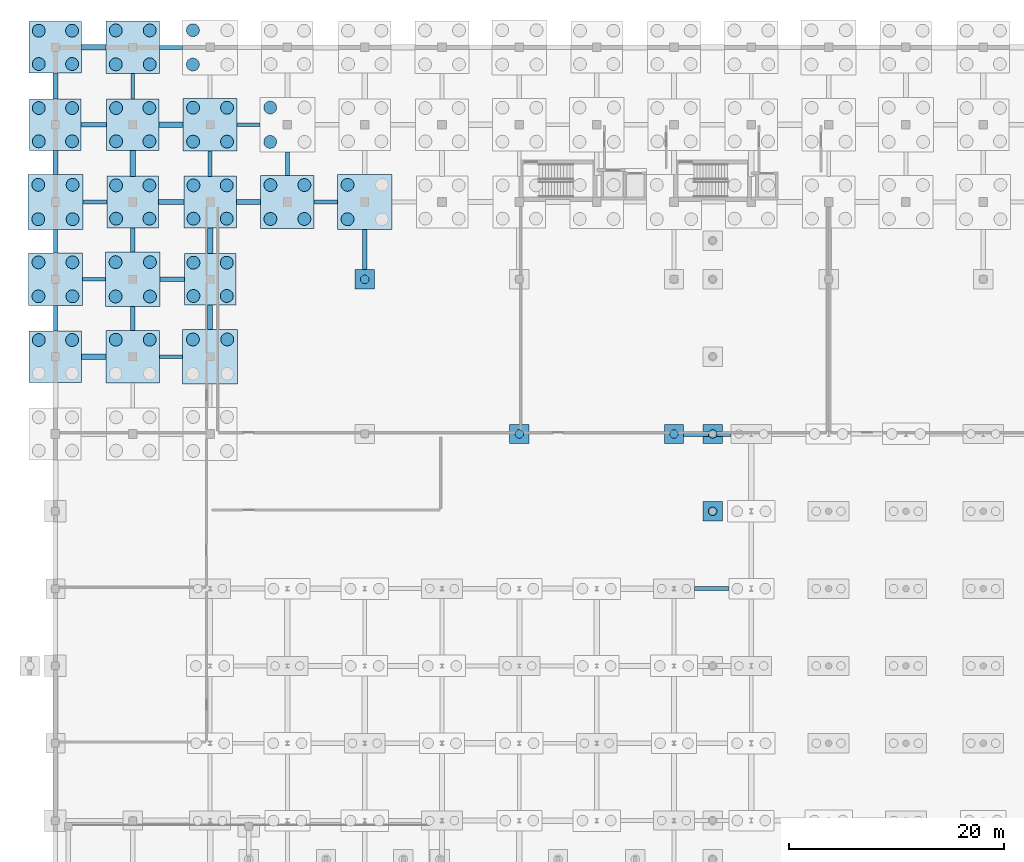
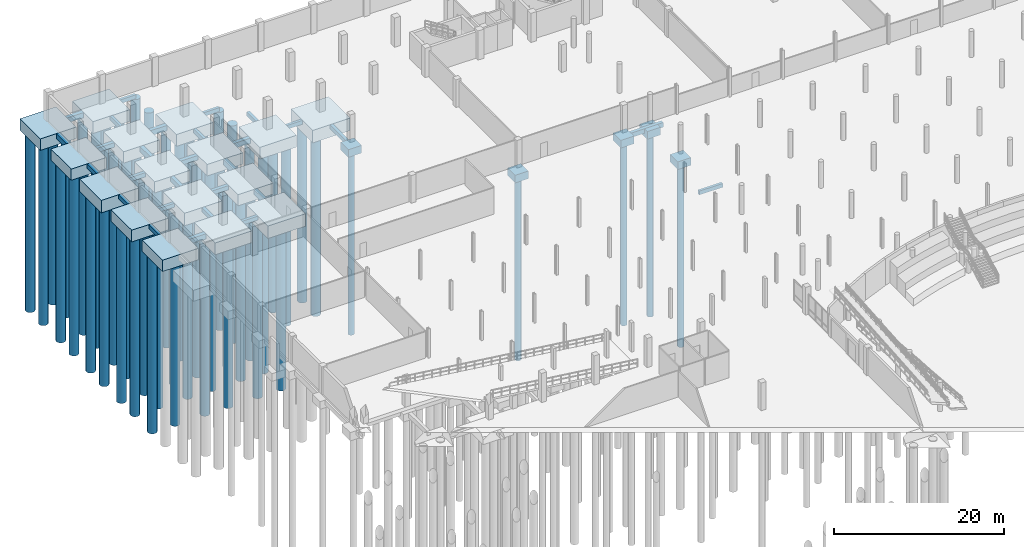
# One storey, part 7 of 56: 65 piles, 49 footings.
"""IFC4 building model written with IfcOpenShell, lengths in metres."""

from ifc_helpers import new_model, si_unit, direction, frame, origin, origin_2d, place, context, subcontext, project, spatial, rectangle, circle, extrude, material, material_profile, profile_set, type_object, element, save


model = new_model("IFC4")

# Units and contexts
model_context = context("Model", 3, precision=1e-05, world=origin(), true_north=direction((0.0, 1.0)))
body_context = subcontext(model_context, "Body", "Model", "MODEL_VIEW")
ifc_project = project(units=[si_unit("LENGTHUNIT", "METRE"), si_unit("AREAUNIT", "SQUARE_METRE"), si_unit("VOLUMEUNIT", "CUBIC_METRE"), si_unit("PLANEANGLEUNIT", "RADIAN"), si_unit("MASSUNIT", "GRAM", prefix="KILO")], contexts=[model_context])

# Site, building, storey
site_placement = place(None, origin())
site = spatial("IfcSite", under=ifc_project, at=site_placement, CompositionType="ELEMENT")
building_placement = place(site_placement, origin())
building = spatial("IfcBuilding", under=site, at=building_placement, Name="Suanplinth Sawtooth Commons", CompositionType="ELEMENT")
storey_placement = place(building_placement, frame((0.0, 0.0, -4.199951171875)))
storey = spatial("IfcBuildingStorey", under=building, at=storey_placement, Name="B1", CompositionType="ELEMENT", Elevation=-4.199951171875)

# Footings
ifc_material_1 = material(Name="Concrete C35/45", Category="concrete")
ifc_material_profile_1 = material_profile(ifc_material_1, rectangle(XDim=0.449951171875, YDim=0.64990234375, at=origin_2d()), Name="PC-GDR 450x650")
ifc_profile_set_1 = profile_set([ifc_material_profile_1], Name="Concrete C35/45")
footing_type_1 = type_object("IfcFootingType", Name="FB-01", PredefinedType="FOOTING_BEAM", material=ifc_profile_set_1)
footing_1_placement = place(storey_placement, frame((0.0, 110.550048828125, -0.824951171875), z_axis=(0.0, 1.0, 0.0), x_axis=(-1.0, 0.0, 0.0)))
element("IfcFooting", 1, at=footing_1_placement, inside=storey, type_object=footing_type_1, Name="Foundation Tie Beam 1/R-S", PredefinedType="FOOTING_BEAM", context=body_context, shape_type="SweptSolid", body=[
    extrude(rectangle(XDim=0.449951171875, YDim=0.64990234375, at=origin_2d()), origin(), (0.0, 0.0, 1.0), 2.25),
])
footing_2_placement = place(storey_placement, frame((2.39990234375, 115.199951171875, -0.824951171875), z_axis=(1.0, 0.0, 0.0), x_axis=(0.0, 1.0, 0.0)))
element("IfcFooting", 2, at=footing_2_placement, inside=storey, type_object=footing_type_1, Name="Foundation Tie Beam 1-2/S", PredefinedType="FOOTING_BEAM", context=body_context, shape_type="SweptSolid", body=[
    extrude(rectangle(XDim=0.449951171875, YDim=0.64990234375, at=origin_2d()), origin(), (0.0, 0.0, 1.0), 2.35009765625),
])
footing_3_placement = place(storey_placement, frame((7.199951171875, 103.35009765625, -0.824951171875), z_axis=(0.0, 1.0, 0.0), x_axis=(-1.0, 0.0, 0.0)))
element("IfcFooting", 3, at=footing_3_placement, inside=storey, type_object=footing_type_1, Name="Foundation Tie Beam 2/Q-R", PredefinedType="FOOTING_BEAM", context=body_context, shape_type="SweptSolid", body=[
    extrude(rectangle(XDim=0.449951171875, YDim=0.64990234375, at=origin_2d()), origin(), (0.0, 0.0, 1.0), 2.25),
])
footing_4_placement = place(storey_placement, frame((9.60009765625, 108.0, -0.824951171875), z_axis=(1.0, 0.0, 0.0), x_axis=(0.0, 1.0, 0.0)))
element("IfcFooting", 4, at=footing_4_placement, inside=storey, type_object=footing_type_1, Name="Foundation Tie Beam 2-3/R", PredefinedType="FOOTING_BEAM", context=body_context, shape_type="SweptSolid", body=[
    extrude(rectangle(XDim=0.449951171875, YDim=0.64990234375, at=origin_2d()), origin(), (0.0, 0.0, 1.0), 2.349853515625),
])
footing_5_placement = place(storey_placement, frame((14.39990234375, 96.14990234375, -0.824951171875), z_axis=(0.0, 1.0, 0.0), x_axis=(-1.0, 0.0, 0.0)))
element("IfcFooting", 5, at=footing_5_placement, inside=storey, type_object=footing_type_1, Name="Foundation Tie Beam 3/P-Q", PredefinedType="FOOTING_BEAM", context=body_context, shape_type="SweptSolid", body=[
    extrude(rectangle(XDim=0.449951171875, YDim=0.64990234375, at=origin_2d()), origin(), (0.0, 0.0, 1.0), 2.25),
])
footing_6_placement = place(storey_placement, frame((58.5, 86.39990234375, -0.824951171875), z_axis=(1.0, 0.0, 0.0), x_axis=(0.0, 1.0, 0.0)))
element("IfcFooting", 6, at=footing_6_placement, inside=storey, type_object=footing_type_1, Name="Foundation Tie Beam 9-10/N", PredefinedType="FOOTING_BEAM", context=body_context, shape_type="SweptSolid", body=[
    extrude(rectangle(XDim=0.449951171875, YDim=0.64990234375, at=origin_2d()), origin(), (0.0, 0.0, 1.0), 4.39990234375),
])
ifc_material_profile_2 = material_profile(ifc_material_1, rectangle(XDim=0.5, YDim=0.75, at=origin_2d()), Name="RC-GDR 500x750")
ifc_profile_set_2 = profile_set([ifc_material_profile_2], Name="Concrete C35/45")
footing_type_2 = type_object("IfcFootingType", Name="FB-02", PredefinedType="FOOTING_BEAM", material=ifc_profile_set_2)
footing_7_placement = place(storey_placement, frame((2.449951171875, 93.60009765625, -0.875), z_axis=(1.0, 0.0, 0.0), x_axis=(0.0, 1.0, 0.0)))
element("IfcFooting", 7, at=footing_7_placement, inside=storey, type_object=footing_type_2, Name="Foundation Tie Beam 1-2/P", PredefinedType="FOOTING_BEAM", context=body_context, shape_type="SweptSolid", body=[
    extrude(rectangle(XDim=0.5, YDim=0.75, at=origin_2d()), origin(), (0.0, 0.0, 1.0), 2.25),
])
footing_8_placement = place(storey_placement, frame((0.0, 117.60009765625, -0.875), z_axis=(0.0, 1.0, 0.0), x_axis=(-1.0, 0.0, 0.0)))
element("IfcFooting", 8, at=footing_8_placement, inside=storey, type_object=footing_type_2, Name="Foundation Tie Beam 1/S-T", PredefinedType="FOOTING_BEAM", context=body_context, shape_type="SweptSolid", body=[
    extrude(rectangle(XDim=0.5, YDim=0.75, at=origin_2d()), origin(), (0.0, 0.0, 1.0), 2.39990234375),
])
footing_9_placement = place(storey_placement, frame((2.449951171875, 122.39990234375, -0.875), z_axis=(1.0, 0.0, 0.0), x_axis=(0.0, 1.0, 0.0)))
element("IfcFooting", 9, at=footing_9_placement, inside=storey, type_object=footing_type_2, Name="Foundation Tie Beam 1-2/T", PredefinedType="FOOTING_BEAM", context=body_context, shape_type="SweptSolid", body=[
    extrude(rectangle(XDim=0.5, YDim=0.75, at=origin_2d()), origin(), (0.0, 0.0, 1.0), 2.25),
])
footing_10_placement = place(storey_placement, frame((7.199951171875, 110.39990234375, -0.875), z_axis=(0.0, 1.0, 0.0), x_axis=(-1.0, 0.0, 0.0)))
element("IfcFooting", 10, at=footing_10_placement, inside=storey, type_object=footing_type_2, Name="Foundation Tie Beam 2/R-S", PredefinedType="FOOTING_BEAM", context=body_context, shape_type="SweptSolid", body=[
    extrude(rectangle(XDim=0.5, YDim=0.75, at=origin_2d()), origin(), (0.0, 0.0, 1.0), 2.400146484375),
])
footing_11_placement = place(storey_placement, frame((9.64990234375, 115.199951171875, -0.875), z_axis=(1.0, 0.0, 0.0), x_axis=(0.0, 1.0, 0.0)))
element("IfcFooting", 11, at=footing_11_placement, inside=storey, type_object=footing_type_2, Name="Foundation Tie Beam 2-3/S", PredefinedType="FOOTING_BEAM", context=body_context, shape_type="SweptSolid", body=[
    extrude(rectangle(XDim=0.5, YDim=0.75, at=origin_2d()), origin(), (0.0, 0.0, 1.0), 2.25),
])
footing_12_placement = place(storey_placement, frame((14.39990234375, 103.199951171875, -0.875), z_axis=(0.0, 1.0, 0.0), x_axis=(-1.0, 0.0, 0.0)))
element("IfcFooting", 12, at=footing_12_placement, inside=storey, type_object=footing_type_2, Name="Foundation Tie Beam 3/Q-R", PredefinedType="FOOTING_BEAM", context=body_context, shape_type="SweptSolid", body=[
    extrude(rectangle(XDim=0.5, YDim=0.75, at=origin_2d()), origin(), (0.0, 0.0, 1.0), 2.400146484375),
])
footing_13_placement = place(storey_placement, frame((16.85009765625, 108.0, -0.875), z_axis=(1.0, 0.0, 0.0), x_axis=(0.0, 1.0, 0.0)))
element("IfcFooting", 13, at=footing_13_placement, inside=storey, type_object=footing_type_2, Name="Foundation Tie Beam 3-4/R", PredefinedType="FOOTING_BEAM", context=body_context, shape_type="SweptSolid", body=[
    extrude(rectangle(XDim=0.5, YDim=0.75, at=origin_2d()), origin(), (0.0, 0.0, 1.0), 2.25),
])
ifc_material_profile_3 = material_profile(ifc_material_1, rectangle(XDim=0.35009765625, YDim=0.550048828125, at=origin_2d()), Name="PC-BM 350x550")
ifc_profile_set_3 = profile_set([ifc_material_profile_3], Name="Concrete C35/45")
footing_type_3 = type_object("IfcFootingType", Name="FB-03", PredefinedType="FOOTING_BEAM", material=ifc_profile_set_3)
footing_14_placement = place(storey_placement, frame((0.0, 96.0, -0.775146484375), z_axis=(0.0, 1.0, 0.0), x_axis=(-1.0, 0.0, 0.0)))
element("IfcFooting", 14, at=footing_14_placement, inside=storey, type_object=footing_type_3, Name="Foundation Tie Beam 1/P-Q", PredefinedType="FOOTING_BEAM", context=body_context, shape_type="SweptSolid", body=[
    extrude(rectangle(XDim=0.35009765625, YDim=0.550048828125, at=origin_2d()), origin(), (0.0, 0.0, 1.0), 2.35009765625),
])
footing_15_placement = place(storey_placement, frame((2.5, 100.800048828125, -0.775146484375), z_axis=(1.0, 0.0, 0.0), x_axis=(0.0, 1.0, 0.0)))
element("IfcFooting", 15, at=footing_15_placement, inside=storey, type_object=footing_type_3, Name="Foundation Tie Beam 1-2/Q", PredefinedType="FOOTING_BEAM", context=body_context, shape_type="SweptSolid", body=[
    extrude(rectangle(XDim=0.35009765625, YDim=0.550048828125, at=origin_2d()), origin(), (0.0, 0.0, 1.0), 2.14990234375),
])
footing_16_placement = place(storey_placement, frame((9.699951171875, 93.60009765625, -0.775146484375), z_axis=(1.0, 0.0, 0.0), x_axis=(0.0, 1.0, 0.0)))
element("IfcFooting", 16, at=footing_16_placement, inside=storey, type_object=footing_type_3, Name="Foundation Tie Beam 2-3/P", PredefinedType="FOOTING_BEAM", context=body_context, shape_type="SweptSolid", body=[
    extrude(rectangle(XDim=0.35009765625, YDim=0.550048828125, at=origin_2d()), origin(), (0.0, 0.0, 1.0), 2.150146484375),
])
footing_17_placement = place(storey_placement, frame((7.199951171875, 117.60009765625, -0.775146484375), z_axis=(0.0, 1.0, 0.0), x_axis=(-1.0, 0.0, 0.0)))
element("IfcFooting", 17, at=footing_17_placement, inside=storey, type_object=footing_type_3, Name="Foundation Tie Beam 2/S-T", PredefinedType="FOOTING_BEAM", context=body_context, shape_type="SweptSolid", body=[
    extrude(rectangle(XDim=0.35009765625, YDim=0.550048828125, at=origin_2d()), origin(), (0.0, 0.0, 1.0), 2.349853515625),
])
footing_18_placement = place(storey_placement, frame((9.699951171875, 122.39990234375, -0.775146484375), z_axis=(1.0, 0.0, 0.0), x_axis=(0.0, 1.0, 0.0)))
element("IfcFooting", 18, at=footing_18_placement, inside=storey, type_object=footing_type_3, Name="Foundation Tie Beam 2-3/T", PredefinedType="FOOTING_BEAM", context=body_context, shape_type="SweptSolid", body=[
    extrude(rectangle(XDim=0.35009765625, YDim=0.550048828125, at=origin_2d()), origin(), (0.0, 0.0, 1.0), 2.150146484375),
])
footing_19_placement = place(storey_placement, frame((14.39990234375, 110.39990234375, -0.775146484375), z_axis=(0.0, 1.0, 0.0), x_axis=(-1.0, 0.0, 0.0)))
element("IfcFooting", 19, at=footing_19_placement, inside=storey, type_object=footing_type_3, Name="Foundation Tie Beam 3/R-S", PredefinedType="FOOTING_BEAM", context=body_context, shape_type="SweptSolid", body=[
    extrude(rectangle(XDim=0.35009765625, YDim=0.550048828125, at=origin_2d()), origin(), (0.0, 0.0, 1.0), 2.35009765625),
])
footing_20_placement = place(storey_placement, frame((16.89990234375, 115.199951171875, -0.775146484375), z_axis=(1.0, 0.0, 0.0), x_axis=(0.0, 1.0, 0.0)))
element("IfcFooting", 20, at=footing_20_placement, inside=storey, type_object=footing_type_3, Name="Foundation Tie Beam 3-4/S", PredefinedType="FOOTING_BEAM", context=body_context, shape_type="SweptSolid", body=[
    extrude(rectangle(XDim=0.35009765625, YDim=0.550048828125, at=origin_2d()), origin(), (0.0, 0.0, 1.0), 2.150146484375),
])
footing_21_placement = place(storey_placement, frame((24.10009765625, 108.0, -0.775146484375), z_axis=(1.0, 0.0, 0.0), x_axis=(0.0, 1.0, 0.0)))
element("IfcFooting", 21, at=footing_21_placement, inside=storey, type_object=footing_type_3, Name="Foundation Tie Beam 4-5/R", PredefinedType="FOOTING_BEAM", context=body_context, shape_type="SweptSolid", body=[
    extrude(rectangle(XDim=0.35009765625, YDim=0.550048828125, at=origin_2d()), origin(), (0.0, 0.0, 1.0), 2.14990234375),
])
footing_22_placement = place(storey_placement, frame((59.5, 72.0, -0.775146484375), z_axis=(1.0, 0.0, 0.0), x_axis=(0.0, 1.0, 0.0)))
element("IfcFooting", 22, at=footing_22_placement, inside=storey, type_object=footing_type_3, Name="Foundation Tie Beam 9-10/L", PredefinedType="FOOTING_BEAM", context=body_context, shape_type="SweptSolid", body=[
    extrude(rectangle(XDim=0.35009765625, YDim=0.550048828125, at=origin_2d()), origin(), (0.0, 0.0, 1.0), 3.199951171875),
])
ifc_material_profile_4 = material_profile(ifc_material_1, rectangle(XDim=0.39990234375, YDim=0.60009765625, at=origin_2d()), Name="PC-GDR 400x600")
ifc_profile_set_4 = profile_set([ifc_material_profile_4], Name="Concrete C35/45")
footing_type_4 = type_object("IfcFootingType", Name="FB-04", PredefinedType="FOOTING_BEAM", material=ifc_profile_set_4)
footing_23_placement = place(storey_placement, frame((0.0, 103.25, -0.800048828125), z_axis=(0.0, 1.0, 0.0), x_axis=(-1.0, 0.0, 0.0)))
element("IfcFooting", 23, at=footing_23_placement, inside=storey, type_object=footing_type_4, Name="Foundation Tie Beam 1/Q-R", PredefinedType="FOOTING_BEAM", context=body_context, shape_type="SweptSolid", body=[
    extrude(rectangle(XDim=0.39990234375, YDim=0.60009765625, at=origin_2d()), origin(), (0.0, 0.0, 1.0), 2.199951171875),
])
footing_24_placement = place(storey_placement, frame((2.550048828125, 108.0, -0.800048828125), z_axis=(1.0, 0.0, 0.0), x_axis=(0.0, 1.0, 0.0)))
element("IfcFooting", 24, at=footing_24_placement, inside=storey, type_object=footing_type_4, Name="Foundation Tie Beam 1-2/R", PredefinedType="FOOTING_BEAM", context=body_context, shape_type="SweptSolid", body=[
    extrude(rectangle(XDim=0.39990234375, YDim=0.60009765625, at=origin_2d()), origin(), (0.0, 0.0, 1.0), 2.25),
])
footing_25_placement = place(storey_placement, frame((7.199951171875, 96.050048828125, -0.800048828125), z_axis=(0.0, 1.0, 0.0), x_axis=(-1.0, 0.0, 0.0)))
element("IfcFooting", 25, at=footing_25_placement, inside=storey, type_object=footing_type_4, Name="Foundation Tie Beam 2/P-Q", PredefinedType="FOOTING_BEAM", context=body_context, shape_type="SweptSolid", body=[
    extrude(rectangle(XDim=0.39990234375, YDim=0.60009765625, at=origin_2d()), origin(), (0.0, 0.0, 1.0), 2.199951171875),
])
footing_26_placement = place(storey_placement, frame((9.75, 100.800048828125, -0.800048828125), z_axis=(1.0, 0.0, 0.0), x_axis=(0.0, 1.0, 0.0)))
element("IfcFooting", 26, at=footing_26_placement, inside=storey, type_object=footing_type_4, Name="Foundation Tie Beam 2-3/Q", PredefinedType="FOOTING_BEAM", context=body_context, shape_type="SweptSolid", body=[
    extrude(rectangle(XDim=0.39990234375, YDim=0.60009765625, at=origin_2d()), origin(), (0.0, 0.0, 1.0), 2.25),
])
footing_27_placement = place(storey_placement, frame((21.60009765625, 110.449951171875, -0.800048828125), z_axis=(0.0, 1.0, 0.0), x_axis=(-1.0, 0.0, 0.0)))
element("IfcFooting", 27, at=footing_27_placement, inside=storey, type_object=footing_type_4, Name="Foundation Tie Beam 4/R-S", PredefinedType="FOOTING_BEAM", context=body_context, shape_type="SweptSolid", body=[
    extrude(rectangle(XDim=0.39990234375, YDim=0.60009765625, at=origin_2d()), origin(), (0.0, 0.0, 1.0), 2.199951171875),
])
footing_28_placement = place(storey_placement, frame((28.800048828125, 101.699951171875, -0.800048828125), z_axis=(0.0, 1.0, 0.0), x_axis=(-1.0, 0.0, 0.0)))
element("IfcFooting", 28, at=footing_28_placement, inside=storey, type_object=footing_type_4, Name="Foundation Tie Beam 5/Q-R", PredefinedType="FOOTING_BEAM", context=body_context, shape_type="SweptSolid", body=[
    extrude(rectangle(XDim=0.39990234375, YDim=0.60009765625, at=origin_2d()), origin(), (0.0, 0.0, 1.0), 3.75),
])
footing_type_5 = type_object("IfcFootingType", Name="FC-01", PredefinedType="PILE_CAP", material=ifc_material_1)
for number, where, z_axis, x_axis, name in (
    (29, (28.800048828125, 100.800048828125, -1.60009765625), (0.0, 0.0, 1.0), (1.0, 0.0, 0.0), "Pile Cap 5/Q"),
    (30, (43.199951171875, 86.39990234375, -1.60009765625), (0.0, 0.0, 1.0), (1.0, 0.0, 0.0), "Pile Cap 7/N"),
    (31, (57.60009765625, 86.39990234375, -1.60009765625), (0.0, 0.0, 1.0), (1.0, 0.0, 0.0), "Pile Cap 9/N"),
    (32, (61.199951171875, 79.199951171875, -1.60009765625), (0.0, 0.0, 1.0), (1.0, 0.0, 0.0), "West Breezeway Cap W8"),
    (33, (61.199951171875, 86.39990234375, -1.60009765625), (0.0, 0.0, 1.0), (1.0, 0.0, 0.0), "West Breezeway Cap W9"),
):
    element("IfcFooting", number, at=place(storey_placement, frame(where, z_axis=z_axis, x_axis=x_axis)), inside=storey, type_object=footing_type_5, Name=name, PredefinedType="PILE_CAP", context=body_context, shape_type="SweptSolid", body=[
        extrude(rectangle(XDim=1.800048828125, YDim=1.800048828125, at=origin_2d()), origin(), (0.0, 0.0, 1.0), 1.10009765625),
    ])
footing_type_6 = type_object("IfcFootingType", Name="FC-11", PredefinedType="PILE_CAP", material=ifc_material_1)
for number, where, z_axis, x_axis, name in (
    (34, (0.0, 115.199951171875, -2.10009765625), (0.0, 0.0, 1.0), (1.0, 0.0, 0.0), "Pile Cap 1/S"),
    (35, (7.199951171875, 108.0, -2.10009765625), (0.0, 0.0, 1.0), (1.0, 0.0, 0.0), "Pile Cap 2/R"),
    (36, (14.39990234375, 100.800048828125, -2.10009765625), (0.0, 0.0, 1.0), (1.0, 0.0, 0.0), "Pile Cap 3/Q"),
):
    element("IfcFooting", number, at=place(storey_placement, frame(where, z_axis=z_axis, x_axis=x_axis)), inside=storey, type_object=footing_type_6, Name=name, PredefinedType="PILE_CAP", context=body_context, shape_type="SweptSolid", body=[
        extrude(rectangle(XDim=4.800048828125, YDim=4.800048828125, at=origin_2d()), origin(), (0.0, 0.0, 1.0), 1.60009765625),
    ])
footing_type_7 = type_object("IfcFootingType", Name="FC-12", PredefinedType="PILE_CAP", material=ifc_material_1)
for number, where, z_axis, x_axis, name in (
    (37, (0.0, 93.60009765625, -2.14990234375), (0.0, 0.0, 1.0), (1.0, 0.0, 0.0), "Pile Cap 1/P"),
    (38, (0.0, 122.39990234375, -2.14990234375), (0.0, 0.0, 1.0), (1.0, 0.0, 0.0), "Pile Cap 1/T"),
    (39, (7.199951171875, 115.199951171875, -2.14990234375), (0.0, 0.0, 1.0), (1.0, 0.0, 0.0), "Pile Cap 2/S"),
    (40, (14.39990234375, 108.0, -2.14990234375), (0.0, 0.0, 1.0), (1.0, 0.0, 0.0), "Pile Cap 3/R"),
):
    element("IfcFooting", number, at=place(storey_placement, frame(where, z_axis=z_axis, x_axis=x_axis)), inside=storey, type_object=footing_type_7, Name=name, PredefinedType="PILE_CAP", context=body_context, shape_type="SweptSolid", body=[
        extrude(rectangle(XDim=4.89990234375, YDim=4.800048828125, at=origin_2d()), origin(), (0.0, 0.0, 1.0), 1.64990234375),
    ])
footing_type_8 = type_object("IfcFootingType", Name="FC-13", PredefinedType="PILE_CAP", material=ifc_material_1)
for number, where, z_axis, x_axis, name in (
    (41, (0.0, 100.800048828125, -2.2001953125), (0.0, 0.0, 1.0), (1.0, 0.0, 0.0), "Pile Cap 1/Q"),
    (42, (7.199951171875, 93.60009765625, -2.2001953125), (0.0, 0.0, 1.0), (1.0, 0.0, 0.0), "Pile Cap 2/P"),
    (43, (7.199951171875, 122.39990234375, -2.2001953125), (0.0, 0.0, 1.0), (1.0, 0.0, 0.0), "Pile Cap 2/T"),
    (44, (14.39990234375, 115.199951171875, -2.2001953125), (0.0, 0.0, 1.0), (1.0, 0.0, 0.0), "Pile Cap 3/S"),
    (45, (21.60009765625, 108.0, -2.2001953125), (0.0, 0.0, 1.0), (1.0, 0.0, 0.0), "Pile Cap 4/R"),
):
    element("IfcFooting", number, at=place(storey_placement, frame(where, z_axis=z_axis, x_axis=x_axis)), inside=storey, type_object=footing_type_8, Name=name, PredefinedType="PILE_CAP", context=body_context, shape_type="SweptSolid", body=[
        extrude(rectangle(XDim=5.0, YDim=4.89990234375, at=origin_2d()), origin(), (0.0, 0.0, 1.0), 1.699951171875),
    ])
footing_type_9 = type_object("IfcFootingType", Name="FC-14", PredefinedType="PILE_CAP", material=ifc_material_1)
for number, where, z_axis, x_axis, name in (
    (46, (0.0, 108.0, -2.30029296875), (0.0, 0.0, 1.0), (1.0, 0.0, 0.0), "Pile Cap 1/R"),
    (47, (7.199951171875, 100.800048828125, -2.30029296875), (0.0, 0.0, 1.0), (1.0, 0.0, 0.0), "Pile Cap 2/Q"),
    (48, (14.39990234375, 93.60009765625, -2.30029296875), (0.0, 0.0, 1.0), (1.0, 0.0, 0.0), "Pile Cap 3/P"),
    (49, (28.800048828125, 108.0, -2.30029296875), (0.0, 0.0, 1.0), (1.0, 0.0, 0.0), "Pile Cap 5/R"),
):
    element("IfcFooting", number, at=place(storey_placement, frame(where, z_axis=z_axis, x_axis=x_axis)), inside=storey, type_object=footing_type_9, Name=name, PredefinedType="PILE_CAP", context=body_context, shape_type="SweptSolid", body=[
        extrude(rectangle(XDim=5.10009765625, YDim=5.10009765625, at=origin_2d()), origin(), (0.0, 0.0, 1.0), 1.800048828125),
    ])

# Piles
ifc_material_2 = material(Name="Concrete C32/40", Category="concrete")
ifc_material_profile_5 = material_profile(ifc_material_2, circle(Radius=0.39990234375, at=origin_2d()), Name="PILE D800")
ifc_profile_set_5 = profile_set([ifc_material_profile_5], Name="Concrete C32/40")
pile_type_1 = type_object("IfcPileType", Name="P-01", PredefinedType="BORED", material=ifc_profile_set_5)
for number, where, z_axis, x_axis, name in (
    (50, (28.800048828125, 100.800048828125, -1.5), (0.0, 0.0, -1.0), (1.0, 0.0, 0.0), "Bored Pile 5/Q-1"),
    (51, (43.199951171875, 86.39990234375, -1.5), (0.0, 0.0, -1.0), (1.0, 0.0, 0.0), "Bored Pile 7/N-1"),
    (52, (57.60009765625, 86.39990234375, -1.5), (0.0, 0.0, -1.0), (1.0, 0.0, 0.0), "Bored Pile 9/N-1"),
    (53, (61.199951171875, 79.199951171875, -1.5), (0.0, 0.0, -1.0), (1.0, 0.0, 0.0), "West Breezeway Pile W8"),
    (54, (61.199951171875, 86.39990234375, -1.5), (0.0, 0.0, -1.0), (1.0, 0.0, 0.0), "West Breezeway Pile W9"),
):
    element("IfcPile", number, at=place(storey_placement, frame(where, z_axis=z_axis, x_axis=x_axis)), inside=storey, type_object=pile_type_1, Name=name, PredefinedType="BORED", context=body_context, shape_type="SweptSolid", body=[
        extrude(circle(Radius=0.39990234375, at=origin_2d()), origin(), (0.0, 0.0, 1.0), 26.300048828125),
    ])
ifc_material_profile_6 = material_profile(ifc_material_2, circle(Radius=0.60009765625, at=origin_2d()), Name="PILE D1200")
ifc_profile_set_6 = profile_set([ifc_material_profile_6], Name="Concrete C32/40")
pile_type_2 = type_object("IfcPileType", Name="P-03", PredefinedType="BORED", material=ifc_profile_set_6)
for number, where, z_axis, x_axis, name in (
    (55, (-1.550048828125, 95.14990234375, -2.050048828125), (0.0, 0.0, -1.0), (1.0, 0.0, 0.0), "Bored Pile 1/P-3"),
    (56, (1.550048828125, 95.14990234375, -2.050048828125), (0.0, 0.0, -1.0), (1.0, 0.0, 0.0), "Bored Pile 1/P-4"),
):
    element("IfcPile", number, at=place(storey_placement, frame(where, z_axis=z_axis, x_axis=x_axis)), inside=storey, type_object=pile_type_2, Name=name, PredefinedType="BORED", context=body_context, shape_type="SweptSolid", body=[
        extrude(circle(Radius=0.60009765625, at=origin_2d()), origin(), (0.0, 0.0, 1.0), 25.75),
    ])
for number, where, z_axis, x_axis, name in (
    (57, (-1.580078125, 99.219970703125, -2.10009765625), (0.0, 0.0, -1.0), (1.0, 0.0, 0.0), "Bored Pile 1/Q-1"),
    (58, (1.580078125, 99.219970703125, -2.10009765625), (0.0, 0.0, -1.0), (1.0, 0.0, 0.0), "Bored Pile 1/Q-2"),
    (59, (-1.580078125, 102.3798828125, -2.10009765625), (0.0, 0.0, -1.0), (1.0, 0.0, 0.0), "Bored Pile 1/Q-3"),
    (60, (1.580078125, 102.3798828125, -2.10009765625), (0.0, 0.0, -1.0), (1.0, 0.0, 0.0), "Bored Pile 1/Q-4"),
):
    element("IfcPile", number, at=place(storey_placement, frame(where, z_axis=z_axis, x_axis=x_axis)), inside=storey, type_object=pile_type_2, Name=name, PredefinedType="BORED", context=body_context, shape_type="SweptSolid", body=[
        extrude(circle(Radius=0.60009765625, at=origin_2d()), origin(), (0.0, 0.0, 1.0), 25.699951171875),
    ])
for number, where, z_axis, x_axis, name in (
    (61, (-1.60009765625, 106.39990234375, -2.199951171875), (0.0, 0.0, -1.0), (1.0, 0.0, 0.0), "Bored Pile 1/R-1"),
    (62, (1.60009765625, 106.39990234375, -2.199951171875), (0.0, 0.0, -1.0), (1.0, 0.0, 0.0), "Bored Pile 1/R-2"),
    (63, (-1.60009765625, 109.60009765625, -2.199951171875), (0.0, 0.0, -1.0), (1.0, 0.0, 0.0), "Bored Pile 1/R-3"),
    (64, (1.60009765625, 109.60009765625, -2.199951171875), (0.0, 0.0, -1.0), (1.0, 0.0, 0.0), "Bored Pile 1/R-4"),
):
    element("IfcPile", number, at=place(storey_placement, frame(where, z_axis=z_axis, x_axis=x_axis)), inside=storey, type_object=pile_type_2, Name=name, PredefinedType="BORED", context=body_context, shape_type="SweptSolid", body=[
        extrude(circle(Radius=0.60009765625, at=origin_2d()), origin(), (0.0, 0.0, 1.0), 25.60009765625),
    ])
for number, where, z_axis, x_axis, name in (
    (65, (-1.550048828125, 113.64990234375, -2.0), (0.0, 0.0, -1.0), (1.0, 0.0, 0.0), "Bored Pile 1/S-1"),
    (66, (1.550048828125, 113.64990234375, -2.0), (0.0, 0.0, -1.0), (1.0, 0.0, 0.0), "Bored Pile 1/S-2"),
    (67, (-1.550048828125, 116.75, -2.0), (0.0, 0.0, -1.0), (1.0, 0.0, 0.0), "Bored Pile 1/S-3"),
    (68, (1.550048828125, 116.75, -2.0), (0.0, 0.0, -1.0), (1.0, 0.0, 0.0), "Bored Pile 1/S-4"),
):
    element("IfcPile", number, at=place(storey_placement, frame(where, z_axis=z_axis, x_axis=x_axis)), inside=storey, type_object=pile_type_2, Name=name, PredefinedType="BORED", context=body_context, shape_type="SweptSolid", body=[
        extrude(circle(Radius=0.60009765625, at=origin_2d()), origin(), (0.0, 0.0, 1.0), 25.800048828125),
    ])
for number, where, z_axis, x_axis, name in (
    (69, (-1.550048828125, 120.85009765625, -2.050048828125), (0.0, 0.0, -1.0), (1.0, 0.0, 0.0), "Bored Pile 1/T-1"),
    (70, (1.550048828125, 120.85009765625, -2.050048828125), (0.0, 0.0, -1.0), (1.0, 0.0, 0.0), "Bored Pile 1/T-2"),
    (71, (-1.550048828125, 123.949951171875, -2.050048828125), (0.0, 0.0, -1.0), (1.0, 0.0, 0.0), "Bored Pile 1/T-3"),
    (72, (1.550048828125, 123.949951171875, -2.050048828125), (0.0, 0.0, -1.0), (1.0, 0.0, 0.0), "Bored Pile 1/T-4"),
):
    element("IfcPile", number, at=place(storey_placement, frame(where, z_axis=z_axis, x_axis=x_axis)), inside=storey, type_object=pile_type_2, Name=name, PredefinedType="BORED", context=body_context, shape_type="SweptSolid", body=[
        extrude(circle(Radius=0.60009765625, at=origin_2d()), origin(), (0.0, 0.0, 1.0), 25.75),
    ])
for number, where, z_axis, x_axis, name in (
    (73, (5.6201171875, 95.179931640625, -2.10009765625), (0.0, 0.0, -1.0), (1.0, 0.0, 0.0), "Bored Pile 2/P-3"),
    (74, (8.780029296875, 95.179931640625, -2.10009765625), (0.0, 0.0, -1.0), (1.0, 0.0, 0.0), "Bored Pile 2/P-4"),
):
    element("IfcPile", number, at=place(storey_placement, frame(where, z_axis=z_axis, x_axis=x_axis)), inside=storey, type_object=pile_type_2, Name=name, PredefinedType="BORED", context=body_context, shape_type="SweptSolid", body=[
        extrude(circle(Radius=0.60009765625, at=origin_2d()), origin(), (0.0, 0.0, 1.0), 25.699951171875),
    ])
for number, where, z_axis, x_axis, name in (
    (75, (5.60009765625, 99.199951171875, -2.199951171875), (0.0, 0.0, -1.0), (1.0, 0.0, 0.0), "Bored Pile 2/Q-1"),
    (76, (8.800048828125, 99.199951171875, -2.199951171875), (0.0, 0.0, -1.0), (1.0, 0.0, 0.0), "Bored Pile 2/Q-2"),
    (77, (5.60009765625, 102.39990234375, -2.199951171875), (0.0, 0.0, -1.0), (1.0, 0.0, 0.0), "Bored Pile 2/Q-3"),
    (78, (8.800048828125, 102.39990234375, -2.199951171875), (0.0, 0.0, -1.0), (1.0, 0.0, 0.0), "Bored Pile 2/Q-4"),
):
    element("IfcPile", number, at=place(storey_placement, frame(where, z_axis=z_axis, x_axis=x_axis)), inside=storey, type_object=pile_type_2, Name=name, PredefinedType="BORED", context=body_context, shape_type="SweptSolid", body=[
        extrude(circle(Radius=0.60009765625, at=origin_2d()), origin(), (0.0, 0.0, 1.0), 25.60009765625),
    ])
for number, where, z_axis, x_axis, name in (
    (79, (5.64990234375, 106.449951171875, -2.0), (0.0, 0.0, -1.0), (1.0, 0.0, 0.0), "Bored Pile 2/R-1"),
    (80, (8.75, 106.449951171875, -2.0), (0.0, 0.0, -1.0), (1.0, 0.0, 0.0), "Bored Pile 2/R-2"),
    (81, (5.64990234375, 109.550048828125, -2.0), (0.0, 0.0, -1.0), (1.0, 0.0, 0.0), "Bored Pile 2/R-3"),
    (82, (8.75, 109.550048828125, -2.0), (0.0, 0.0, -1.0), (1.0, 0.0, 0.0), "Bored Pile 2/R-4"),
):
    element("IfcPile", number, at=place(storey_placement, frame(where, z_axis=z_axis, x_axis=x_axis)), inside=storey, type_object=pile_type_2, Name=name, PredefinedType="BORED", context=body_context, shape_type="SweptSolid", body=[
        extrude(circle(Radius=0.60009765625, at=origin_2d()), origin(), (0.0, 0.0, 1.0), 25.800048828125),
    ])
for number, where, z_axis, x_axis, name in (
    (83, (5.64990234375, 113.64990234375, -2.050048828125), (0.0, 0.0, -1.0), (1.0, 0.0, 0.0), "Bored Pile 2/S-1"),
    (84, (8.75, 113.64990234375, -2.050048828125), (0.0, 0.0, -1.0), (1.0, 0.0, 0.0), "Bored Pile 2/S-2"),
    (85, (5.64990234375, 116.75, -2.050048828125), (0.0, 0.0, -1.0), (1.0, 0.0, 0.0), "Bored Pile 2/S-3"),
    (86, (8.75, 116.75, -2.050048828125), (0.0, 0.0, -1.0), (1.0, 0.0, 0.0), "Bored Pile 2/S-4"),
):
    element("IfcPile", number, at=place(storey_placement, frame(where, z_axis=z_axis, x_axis=x_axis)), inside=storey, type_object=pile_type_2, Name=name, PredefinedType="BORED", context=body_context, shape_type="SweptSolid", body=[
        extrude(circle(Radius=0.60009765625, at=origin_2d()), origin(), (0.0, 0.0, 1.0), 25.75),
    ])
for number, where, z_axis, x_axis, name in (
    (87, (5.6201171875, 120.820068359375, -2.10009765625), (0.0, 0.0, -1.0), (1.0, 0.0, 0.0), "Bored Pile 2/T-1"),
    (88, (8.780029296875, 120.820068359375, -2.10009765625), (0.0, 0.0, -1.0), (1.0, 0.0, 0.0), "Bored Pile 2/T-2"),
    (89, (5.6201171875, 123.97998046875, -2.10009765625), (0.0, 0.0, -1.0), (1.0, 0.0, 0.0), "Bored Pile 2/T-3"),
    (90, (8.780029296875, 123.97998046875, -2.10009765625), (0.0, 0.0, -1.0), (1.0, 0.0, 0.0), "Bored Pile 2/T-4"),
):
    element("IfcPile", number, at=place(storey_placement, frame(where, z_axis=z_axis, x_axis=x_axis)), inside=storey, type_object=pile_type_2, Name=name, PredefinedType="BORED", context=body_context, shape_type="SweptSolid", body=[
        extrude(circle(Radius=0.60009765625, at=origin_2d()), origin(), (0.0, 0.0, 1.0), 25.699951171875),
    ])
for number, where, z_axis, x_axis, name in (
    (91, (12.800048828125, 95.199951171875, -2.199951171875), (0.0, 0.0, -1.0), (1.0, 0.0, 0.0), "Bored Pile 3/P-3"),
    (92, (16.0, 95.199951171875, -2.199951171875), (0.0, 0.0, -1.0), (1.0, 0.0, 0.0), "Bored Pile 3/P-4"),
):
    element("IfcPile", number, at=place(storey_placement, frame(where, z_axis=z_axis, x_axis=x_axis)), inside=storey, type_object=pile_type_2, Name=name, PredefinedType="BORED", context=body_context, shape_type="SweptSolid", body=[
        extrude(circle(Radius=0.60009765625, at=origin_2d()), origin(), (0.0, 0.0, 1.0), 25.60009765625),
    ])
for number, where, z_axis, x_axis, name in (
    (93, (12.85009765625, 99.25, -2.0), (0.0, 0.0, -1.0), (1.0, 0.0, 0.0), "Bored Pile 3/Q-1"),
    (94, (15.949951171875, 99.25, -2.0), (0.0, 0.0, -1.0), (1.0, 0.0, 0.0), "Bored Pile 3/Q-2"),
    (95, (12.85009765625, 102.35009765625, -2.0), (0.0, 0.0, -1.0), (1.0, 0.0, 0.0), "Bored Pile 3/Q-3"),
    (96, (15.949951171875, 102.35009765625, -2.0), (0.0, 0.0, -1.0), (1.0, 0.0, 0.0), "Bored Pile 3/Q-4"),
):
    element("IfcPile", number, at=place(storey_placement, frame(where, z_axis=z_axis, x_axis=x_axis)), inside=storey, type_object=pile_type_2, Name=name, PredefinedType="BORED", context=body_context, shape_type="SweptSolid", body=[
        extrude(circle(Radius=0.60009765625, at=origin_2d()), origin(), (0.0, 0.0, 1.0), 25.800048828125),
    ])
for number, where, z_axis, x_axis, name in (
    (97, (12.85009765625, 106.449951171875, -2.050048828125), (0.0, 0.0, -1.0), (1.0, 0.0, 0.0), "Bored Pile 3/R-1"),
    (98, (15.949951171875, 106.449951171875, -2.050048828125), (0.0, 0.0, -1.0), (1.0, 0.0, 0.0), "Bored Pile 3/R-2"),
    (99, (12.85009765625, 109.550048828125, -2.050048828125), (0.0, 0.0, -1.0), (1.0, 0.0, 0.0), "Bored Pile 3/R-3"),
    (100, (15.949951171875, 109.550048828125, -2.050048828125), (0.0, 0.0, -1.0), (1.0, 0.0, 0.0), "Bored Pile 3/R-4"),
):
    element("IfcPile", number, at=place(storey_placement, frame(where, z_axis=z_axis, x_axis=x_axis)), inside=storey, type_object=pile_type_2, Name=name, PredefinedType="BORED", context=body_context, shape_type="SweptSolid", body=[
        extrude(circle(Radius=0.60009765625, at=origin_2d()), origin(), (0.0, 0.0, 1.0), 25.75),
    ])
for number, where, z_axis, x_axis, name in (
    (101, (12.820068359375, 113.6201171875, -2.10009765625), (0.0, 0.0, -1.0), (1.0, 0.0, 0.0), "Bored Pile 3/S-1"),
    (102, (15.97998046875, 113.6201171875, -2.10009765625), (0.0, 0.0, -1.0), (1.0, 0.0, 0.0), "Bored Pile 3/S-2"),
    (103, (12.820068359375, 116.780029296875, -2.10009765625), (0.0, 0.0, -1.0), (1.0, 0.0, 0.0), "Bored Pile 3/S-3"),
    (104, (15.97998046875, 116.780029296875, -2.10009765625), (0.0, 0.0, -1.0), (1.0, 0.0, 0.0), "Bored Pile 3/S-4"),
):
    element("IfcPile", number, at=place(storey_placement, frame(where, z_axis=z_axis, x_axis=x_axis)), inside=storey, type_object=pile_type_2, Name=name, PredefinedType="BORED", context=body_context, shape_type="SweptSolid", body=[
        extrude(circle(Radius=0.60009765625, at=origin_2d()), origin(), (0.0, 0.0, 1.0), 25.699951171875),
    ])
for number, where, z_axis, x_axis, name in (
    (105, (12.800048828125, 120.800048828125, -2.199951171875), (0.0, 0.0, -1.0), (1.0, 0.0, 0.0), "Bored Pile 3/T-1"),
    (106, (12.800048828125, 124.0, -2.199951171875), (0.0, 0.0, -1.0), (1.0, 0.0, 0.0), "Bored Pile 3/T-3"),
):
    element("IfcPile", number, at=place(storey_placement, frame(where, z_axis=z_axis, x_axis=x_axis)), inside=storey, type_object=pile_type_2, Name=name, PredefinedType="BORED", context=body_context, shape_type="SweptSolid", body=[
        extrude(circle(Radius=0.60009765625, at=origin_2d()), origin(), (0.0, 0.0, 1.0), 25.60009765625),
    ])
for number, where, z_axis, x_axis, name in (
    (107, (20.02001953125, 106.419921875, -2.10009765625), (0.0, 0.0, -1.0), (1.0, 0.0, 0.0), "Bored Pile 4/R-1"),
    (108, (23.179931640625, 106.419921875, -2.10009765625), (0.0, 0.0, -1.0), (1.0, 0.0, 0.0), "Bored Pile 4/R-2"),
    (109, (20.02001953125, 109.580078125, -2.10009765625), (0.0, 0.0, -1.0), (1.0, 0.0, 0.0), "Bored Pile 4/R-3"),
    (110, (23.179931640625, 109.580078125, -2.10009765625), (0.0, 0.0, -1.0), (1.0, 0.0, 0.0), "Bored Pile 4/R-4"),
):
    element("IfcPile", number, at=place(storey_placement, frame(where, z_axis=z_axis, x_axis=x_axis)), inside=storey, type_object=pile_type_2, Name=name, PredefinedType="BORED", context=body_context, shape_type="SweptSolid", body=[
        extrude(circle(Radius=0.60009765625, at=origin_2d()), origin(), (0.0, 0.0, 1.0), 25.699951171875),
    ])
for number, where, z_axis, x_axis, name in (
    (111, (20.0, 113.60009765625, -2.199951171875), (0.0, 0.0, -1.0), (1.0, 0.0, 0.0), "Bored Pile 4/S-1"),
    (112, (20.0, 116.800048828125, -2.199951171875), (0.0, 0.0, -1.0), (1.0, 0.0, 0.0), "Bored Pile 4/S-3"),
    (113, (27.199951171875, 106.39990234375, -2.199951171875), (0.0, 0.0, -1.0), (1.0, 0.0, 0.0), "Bored Pile 5/R-1"),
    (114, (27.199951171875, 109.60009765625, -2.199951171875), (0.0, 0.0, -1.0), (1.0, 0.0, 0.0), "Bored Pile 5/R-3"),
):
    element("IfcPile", number, at=place(storey_placement, frame(where, z_axis=z_axis, x_axis=x_axis)), inside=storey, type_object=pile_type_2, Name=name, PredefinedType="BORED", context=body_context, shape_type="SweptSolid", body=[
        extrude(circle(Radius=0.60009765625, at=origin_2d()), origin(), (0.0, 0.0, 1.0), 25.60009765625),
    ])

save(model, "model.ifc")
